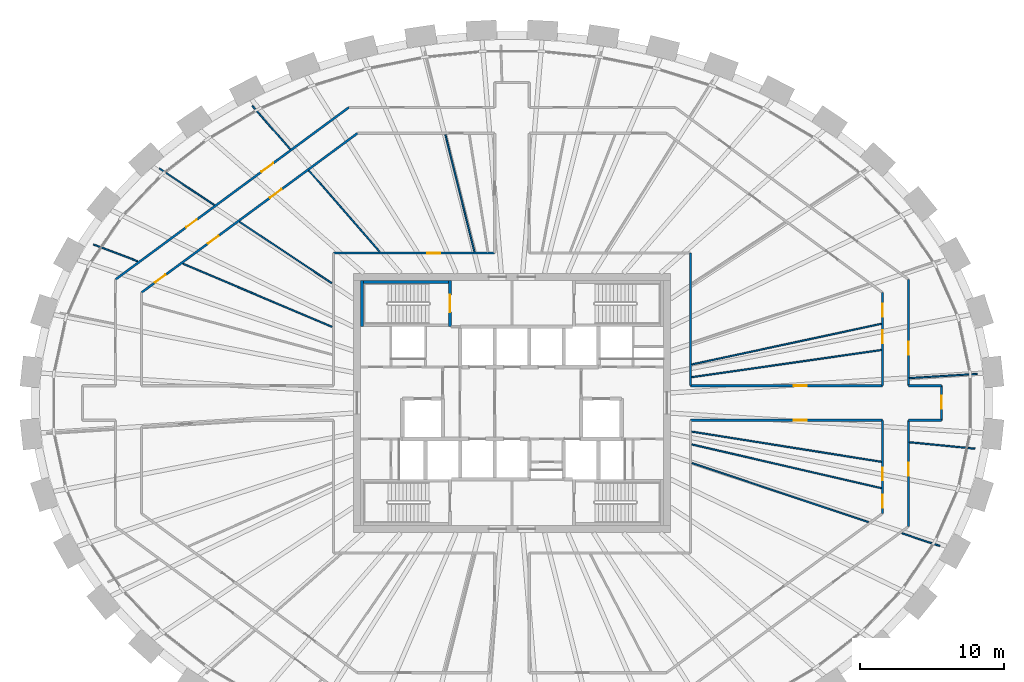
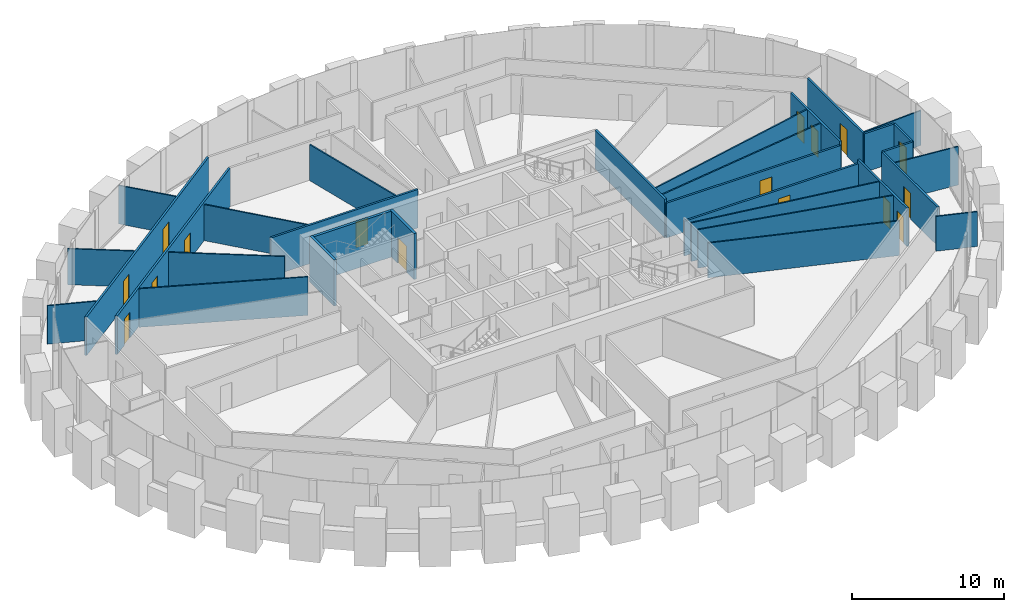
# One storey, part 9 of 12: 31 walls, 16 doors, 16 openings.
"""IFC4 building model written with IfcOpenShell, lengths in metres."""

from ifc_helpers import new_model, si_unit, direction, frame, frame_2d, origin, place, context, subcontext, project, spatial, rectangle, extrude, source, transform, mapped, material, layer, layer_set, type_object, element, fill, save


model = new_model("IFC4")

# Units and contexts
model_context = context("Model", 3, precision=1e-05, world=origin(), true_north=direction((0.0, 1.0)))
body_context = subcontext(model_context, "Body", "Model", "MODEL_VIEW")
ifc_project = project(units=[si_unit("LENGTHUNIT", "METRE"), si_unit("AREAUNIT", "SQUARE_METRE"), si_unit("VOLUMEUNIT", "CUBIC_METRE"), si_unit("PLANEANGLEUNIT", "RADIAN"), si_unit("MASSUNIT", "GRAM", prefix="KILO")], contexts=[model_context])

# Site, building, storey
site_placement = place(None, origin())
site = spatial("IfcSite", under=ifc_project, at=site_placement, CompositionType="ELEMENT")
building_placement = place(site_placement, origin())
building = spatial("IfcBuilding", under=site, at=building_placement, Name="Embergate Tower", CompositionType="ELEMENT")
storey_placement = place(building_placement, frame((0.0, 0.0, 253.89990234375)))
storey = spatial("IfcBuildingStorey", under=building, at=storey_placement, Name="L58", CompositionType="ELEMENT", Elevation=253.89990234375)

# Wall, opening, door
ifc_material_1 = material(Name="Concrete C50", Category="concrete")
ifc_layer_1 = layer(ifc_material_1, 0.199951171875)
ifc_layer_set_1 = layer_set([ifc_layer_1], Name="Concrete C50")
wall_type_1 = type_object("IfcWallType", Name="Stair enclosure wall reinforced concrete 250", PredefinedType="SHEAR", material=ifc_layer_set_1)
shared_shape_1 = source(origin(), body_context, "Body", "SweptSolid", [
    extrude(rectangle(XDim=3.199951171875, YDim=0.199951171875, at=frame_2d((1.60009765625, 0.0))), origin(), (0.0, 0.0, 1.0), 3.7001953125),
])
wall_1_placement = place(storey_placement, frame((-4.300048828125, 5.300048828125, 0.0), z_axis=(0.0, 0.0, 1.0), x_axis=(0.0, 1.0, 0.0)))
wall_1 = element("IfcWall", 1, at=wall_1_placement, inside=storey, type_object=wall_type_1, Name="SE-1 wall", PredefinedType="SHEAR", context=body_context, shape_type="MappedRepresentation", body=[
    mapped(shared_shape_1, transform((0.0, 0.0, 0.0))),
])
shared_shape_2 = source(origin(), body_context, "Body", "SweptSolid", [
    extrude(rectangle(XDim=1.199951171875, YDim=2.10009765625, at=frame_2d((0.60009765625, 1.050048828125))), frame((0.0, 0.10986328125, 0.0), z_axis=(0.0, -1.0, 0.0), x_axis=(1.0, 0.0, 0.0)), (0.0, 0.0, 1.0), 0.219970703125),
])
opening_1_placement = place(wall_1_placement, frame((1.0, 0.0, 0.0)))
opening_1 = element("IfcOpeningElement", 2, at=opening_1_placement, cuts=wall_1, Name="Opening IF-2", PredefinedType="OPENING", context=body_context, shape_type="MappedRepresentation", body=[
    mapped(shared_shape_2, transform((0.0, 0.0, 0.0))),
])
ifc_material_2 = material(Name="Stair enclosure door 1200")
door_type_1 = type_object("IfcDoorType", Name="Stair enclosure door 1200", OperationType="SINGLE_SWING_LEFT", PredefinedType="DOOR", material=ifc_material_2)
shared_shape_3 = source(origin(), body_context, "Body", "SweptSolid", [
    extrude(rectangle(XDim=1.199951171875, YDim=2.10009765625, at=frame_2d((0.60009765625, 1.050048828125))), frame((0.0, 0.02490234375, 0.0), z_axis=(0.0, -1.0, 0.0), x_axis=(1.0, 0.0, 0.0)), (0.0, 0.0, 1.0), 0.050048828125),
])
door_1_placement = place(opening_1_placement, origin())
door_1 = element("IfcDoor", 3, at=door_1_placement, inside=storey, type_object=door_type_1, Name="IF-2 door", OperationType="SINGLE_SWING_RIGHT", OverallHeight=2.10009765625, OverallWidth=1.199951171875, PredefinedType="DOOR", context=body_context, shape_type="MappedRepresentation", body=[
    mapped(shared_shape_3, transform((0.0, 0.0, 0.0))),
])
fill(opening_1, door_1)

ifc_material_3 = material(Name="Corridor wall dry-lined 150 wet")
ifc_layer_2 = layer(ifc_material_3, 0.14990234375)
ifc_layer_set_2 = layer_set([ifc_layer_2], Name="Corridor wall dry-lined 150 wet")
wall_type_2 = type_object("IfcWallType", Name="Corridor wall dry-lined 150 wet", PredefinedType="PLUMBINGWALL", material=ifc_layer_set_2)
shared_shape_4 = source(origin(), body_context, "Body", "SweptSolid", [
    extrude(rectangle(XDim=7.381103515625, YDim=0.14990234375, at=frame_2d((3.6904296875, 0.0))), origin(), (0.0, 0.0, 1.0), 3.10009765625),
])
wall_2_placement = place(storey_placement, frame((27.510986328125, -8.5810546875, 0.0), z_axis=(0.0, 0.0, 1.0), x_axis=(0.0, 1.0, 0.0)))
wall_2 = element("IfcWall", 4, at=wall_2_placement, inside=storey, type_object=wall_type_2, Name="IP-2 wall", PredefinedType="PLUMBINGWALL", context=body_context, shape_type="MappedRepresentation", body=[
    mapped(shared_shape_4, transform((0.0, 0.0, 0.0))),
])
shared_shape_5 = source(origin(), body_context, "Body", "SweptSolid", [
    extrude(rectangle(XDim=0.89990234375, YDim=2.10009765625, at=frame_2d((0.449951171875, 1.050048828125))), frame((0.0, 0.0849609375, 0.0), z_axis=(0.0, -1.0, 0.0), x_axis=(1.0, 0.0, 0.0)), (0.0, 0.0, 1.0), 0.169921875),
])
opening_2_placement = place(wall_2_placement, frame((3.533447265625, 0.0, 0.0)))
opening_2 = element("IfcOpeningElement", 5, at=opening_2_placement, cuts=wall_2, Name="Opening IF-1c", PredefinedType="OPENING", context=body_context, shape_type="MappedRepresentation", body=[
    mapped(shared_shape_5, transform((0.0, 0.0, 0.0))),
])
ifc_material_4 = material(Name="Escape fire door 900")
door_type_2 = type_object("IfcDoorType", Name="Escape fire door 900", OperationType="SINGLE_SWING_LEFT", PredefinedType="DOOR", material=ifc_material_4)
shared_shape_6 = source(origin(), body_context, "Body", "SweptSolid", [
    extrude(rectangle(XDim=0.89990234375, YDim=2.10009765625, at=frame_2d((0.449951171875, 1.050048828125))), frame((0.0, 0.02490234375, 0.0), z_axis=(0.0, -1.0, 0.0), x_axis=(1.0, 0.0, 0.0)), (0.0, 0.0, 1.0), 0.050048828125),
])
door_2_placement = place(opening_2_placement, origin())
door_2 = element("IfcDoor", 6, at=door_2_placement, inside=storey, type_object=door_type_2, Name="IF-1 door", OperationType="SINGLE_SWING_LEFT", OverallHeight=2.10009765625, OverallWidth=0.89990234375, PredefinedType="DOOR", context=body_context, shape_type="MappedRepresentation", body=[
    mapped(shared_shape_6, transform((0.0, 0.0, 0.0))),
])
fill(opening_2, door_2)

wall_3_placement = place(storey_placement, frame((27.510986328125, 1.199951171875, 0.0), z_axis=(0.0, 0.0, 1.0), x_axis=(0.0, 1.0, 0.0)))
wall_3 = element("IfcWall", 7, at=wall_3_placement, inside=storey, type_object=wall_type_2, Name="IP-2 wall", PredefinedType="PLUMBINGWALL", context=body_context, shape_type="MappedRepresentation", body=[
    mapped(shared_shape_4, transform((0.0, 0.0, 0.0))),
])
opening_3_placement = place(wall_3_placement, frame((2.159912109375, 0.0, 0.0)))
opening_3 = element("IfcOpeningElement", 8, at=opening_3_placement, cuts=wall_3, Name="Opening IF-1c", PredefinedType="OPENING", context=body_context, shape_type="MappedRepresentation", body=[
    mapped(shared_shape_5, transform((0.0, 0.0, 0.0))),
])
door_3_placement = place(opening_3_placement, origin())
door_3 = element("IfcDoor", 9, at=door_3_placement, inside=storey, type_object=door_type_2, Name="IF-1 door", OperationType="SINGLE_SWING_RIGHT", OverallHeight=2.10009765625, OverallWidth=0.89990234375, PredefinedType="DOOR", context=body_context, shape_type="MappedRepresentation", body=[
    mapped(shared_shape_6, transform((0.0, 0.0, 0.0))),
])
fill(opening_3, door_3)

# Wall, openings, doors
ifc_material_5 = material(Name="Corridor wall dry-lined 150")
ifc_layer_3 = layer(ifc_material_5, 0.14990234375)
ifc_layer_set_3 = layer_set([ifc_layer_3], Name="Corridor wall dry-lined 150")
wall_type_3 = type_object("IfcWallType", Name="Corridor wall dry-lined 150", PredefinedType="PARTITIONING", material=ifc_layer_set_3)
shared_shape_7 = source(origin(), body_context, "Body", "SweptSolid", [
    extrude(rectangle(XDim=20.116455078125, YDim=0.14990234375, at=frame_2d((10.05810546875, 0.0))), origin(), (0.0, 0.0, 1.0), 3.10009765625),
])
wall_4_placement = place(storey_placement, frame((-27.510986328125, 8.5810546875, 0.0), z_axis=(0.0, 0.0, 1.0), x_axis=(0.804910001979, 0.593396906559, 0.0)))
wall_4 = element("IfcWall", 10, at=wall_4_placement, inside=storey, type_object=wall_type_3, Name="IP-2 wall", PredefinedType="PARTITIONING", context=body_context, shape_type="MappedRepresentation", body=[
    mapped(shared_shape_7, transform((0.0, 0.0, 0.0))),
])
shared_shape_8 = source(origin(), body_context, "Body", "SweptSolid", [
    extrude(rectangle(XDim=1.0, YDim=2.10009765625, at=frame_2d((0.5, 1.050048828125))), frame((0.0, 0.0849609375, 0.0), z_axis=(0.0, -1.0, 0.0), x_axis=(1.0, 0.0, 0.0)), (0.0, 0.0, 1.0), 0.169921875),
])
opening_4_placement = place(wall_4_placement, frame((12.591552734375, 0.0, 0.0)))
opening_4 = element("IfcOpeningElement", 11, at=opening_4_placement, cuts=wall_4, Name="Opening ID-2", PredefinedType="OPENING", context=body_context, shape_type="MappedRepresentation", body=[
    mapped(shared_shape_8, transform((0.0, 0.0, 0.0))),
])
opening_5_placement = place(wall_4_placement, frame((6.0927734375, 0.0, 0.0)))
opening_5 = element("IfcOpeningElement", 12, at=opening_5_placement, cuts=wall_4, Name="Opening IF-1c", PredefinedType="OPENING", context=body_context, shape_type="MappedRepresentation", body=[
    mapped(shared_shape_5, transform((0.0, 0.0, 0.0))),
])
door_4_placement = place(opening_5_placement, origin())
door_4 = element("IfcDoor", 13, at=door_4_placement, inside=storey, type_object=door_type_2, Name="IF-1 door", OperationType="SINGLE_SWING_LEFT", OverallHeight=2.10009765625, OverallWidth=0.89990234375, PredefinedType="DOOR", context=body_context, shape_type="MappedRepresentation", body=[
    mapped(shared_shape_6, transform((0.0, 0.0, 0.0))),
])
fill(opening_5, door_4)
ifc_material_6 = material(Name="Interior door 1000")
door_type_3 = type_object("IfcDoorType", Name="Interior door 1000", OperationType="SINGLE_SWING_LEFT", PredefinedType="DOOR", material=ifc_material_6)
shared_shape_9 = source(origin(), body_context, "Body", "SweptSolid", [
    extrude(rectangle(XDim=1.0, YDim=2.10009765625, at=frame_2d((0.5, 1.050048828125))), frame((0.0, 0.02490234375, 0.0), z_axis=(0.0, -1.0, 0.0), x_axis=(1.0, 0.0, 0.0)), (0.0, 0.0, 1.0), 0.050048828125),
])
door_5_placement = place(opening_4_placement, origin())
door_5 = element("IfcDoor", 14, at=door_5_placement, inside=storey, type_object=door_type_3, Name="ID-2 door", OperationType="SINGLE_SWING_RIGHT", OverallHeight=2.10009765625, OverallWidth=1.0, PredefinedType="DOOR", context=body_context, shape_type="MappedRepresentation", body=[
    mapped(shared_shape_9, transform((0.0, 0.0, 0.0))),
])
fill(opening_4, door_5)

shared_shape_10 = source(origin(), body_context, "Body", "SweptSolid", [
    extrude(rectangle(XDim=18.615966796875, YDim=0.14990234375, at=frame_2d((9.30810546875, 0.0))), origin(), (0.0, 0.0, 1.0), 3.10009765625),
])
wall_5_placement = place(storey_placement, frame((-25.7109375, 7.6708984375, 0.0), z_axis=(0.0, 0.0, 1.0), x_axis=(0.804892640185, 0.593420456149, 0.0)))
wall_5 = element("IfcWall", 15, at=wall_5_placement, inside=storey, type_object=wall_type_3, Name="IP-2 wall", PredefinedType="PARTITIONING", context=body_context, shape_type="MappedRepresentation", body=[
    mapped(shared_shape_10, transform((0.0, 0.0, 0.0))),
])
opening_6_placement = place(wall_5_placement, frame((11.076904296875, 0.0, 0.0)))
opening_6 = element("IfcOpeningElement", 16, at=opening_6_placement, cuts=wall_5, Name="Opening ID-2", PredefinedType="OPENING", context=body_context, shape_type="MappedRepresentation", body=[
    mapped(shared_shape_8, transform((0.0, 0.0, 0.0))),
])
opening_7_placement = place(wall_5_placement, frame((5.718994140625, 0.0, 0.0)))
opening_7 = element("IfcOpeningElement", 17, at=opening_7_placement, cuts=wall_5, Name="Opening IF-1c", PredefinedType="OPENING", context=body_context, shape_type="MappedRepresentation", body=[
    mapped(shared_shape_5, transform((0.0, 0.0, 0.0))),
])
opening_8_placement = place(wall_5_placement, frame((1.172119140625, 0.0, 0.0)))
opening_8 = element("IfcOpeningElement", 18, at=opening_8_placement, cuts=wall_5, Name="Opening IF-1c", PredefinedType="OPENING", context=body_context, shape_type="MappedRepresentation", body=[
    mapped(shared_shape_5, transform((0.0, 0.0, 0.0))),
])
door_6_placement = place(opening_7_placement, origin())
door_6 = element("IfcDoor", 19, at=door_6_placement, inside=storey, type_object=door_type_2, Name="IF-1 door", OperationType="SINGLE_SWING_RIGHT", OverallHeight=2.10009765625, OverallWidth=0.89990234375, PredefinedType="DOOR", context=body_context, shape_type="MappedRepresentation", body=[
    mapped(shared_shape_6, transform((0.0, 0.0, 0.0))),
])
fill(opening_7, door_6)
door_7_placement = place(opening_8_placement, origin())
door_7 = element("IfcDoor", 20, at=door_7_placement, inside=storey, type_object=door_type_2, Name="IF-1 door", OperationType="SINGLE_SWING_RIGHT", OverallHeight=2.10009765625, OverallWidth=0.89990234375, PredefinedType="DOOR", context=body_context, shape_type="MappedRepresentation", body=[
    mapped(shared_shape_6, transform((0.0, 0.0, 0.0))),
])
fill(opening_8, door_7)
door_8_placement = place(opening_6_placement, origin())
door_8 = element("IfcDoor", 21, at=door_8_placement, inside=storey, type_object=door_type_3, Name="ID-2 door", OperationType="SINGLE_SWING_RIGHT", OverallHeight=2.10009765625, OverallWidth=1.0, PredefinedType="DOOR", context=body_context, shape_type="MappedRepresentation", body=[
    mapped(shared_shape_9, transform((0.0, 0.0, 0.0))),
])
fill(opening_6, door_8)

# Wall
shared_shape_11 = source(origin(), body_context, "Body", "SweptSolid", [
    extrude(rectangle(XDim=9.199951171875, YDim=0.14990234375, at=frame_2d((4.60009765625, 0.0))), origin(), (0.0, 0.0, 1.0), 3.10009765625),
])
wall_6_placement = place(storey_placement, frame((12.39990234375, 1.199951171875, 0.0), z_axis=(0.0, 0.0, 1.0), x_axis=(0.0, 1.0, 0.0)))
element("IfcWall", 22, at=wall_6_placement, inside=storey, type_object=wall_type_2, Name="IP-2 wall", PredefinedType="PLUMBINGWALL", context=body_context, shape_type="MappedRepresentation", body=[
    mapped(shared_shape_11, transform((0.0, 0.0, 0.0))),
])

# Wall, opening, door
shared_shape_12 = source(origin(), body_context, "Body", "SweptSolid", [
    extrude(rectangle(XDim=11.199951171875, YDim=0.14990234375, at=frame_2d((5.60009765625, 0.0))), origin(), (0.0, 0.0, 1.0), 3.10009765625),
])
wall_7_placement = place(storey_placement, frame((-12.39990234375, 10.39990234375, 0.0), z_axis=(0.0, 0.0, 1.0), x_axis=(1.0, 0.0, 0.0)))
wall_7 = element("IfcWall", 23, at=wall_7_placement, inside=storey, type_object=wall_type_3, Name="IP-2 wall", PredefinedType="PARTITIONING", context=body_context, shape_type="MappedRepresentation", body=[
    mapped(shared_shape_12, transform((0.0, 0.0, 0.0))),
])
opening_9_placement = place(wall_7_placement, frame((6.513916015625, 0.0, 0.0)))
opening_9 = element("IfcOpeningElement", 24, at=opening_9_placement, cuts=wall_7, Name="Opening IF-1c", PredefinedType="OPENING", context=body_context, shape_type="MappedRepresentation", body=[
    mapped(shared_shape_5, transform((0.0, 0.0, 0.0))),
])
door_9_placement = place(opening_9_placement, origin())
door_9 = element("IfcDoor", 25, at=door_9_placement, inside=storey, type_object=door_type_2, Name="IF-1 door", OperationType="SINGLE_SWING_RIGHT", OverallHeight=2.10009765625, OverallWidth=0.89990234375, PredefinedType="DOOR", context=body_context, shape_type="MappedRepresentation", body=[
    mapped(shared_shape_6, transform((0.0, 0.0, 0.0))),
])
fill(opening_9, door_9)

shared_shape_13 = source(origin(), body_context, "Body", "SweptSolid", [
    extrude(rectangle(XDim=2.39990234375, YDim=0.14990234375, at=frame_2d((1.199951171875, 0.0))), origin(), (0.0, 0.0, 1.0), 3.10009765625),
])
wall_8_placement = place(storey_placement, frame((29.803955078125, -1.199951171875, 0.0), z_axis=(0.0, 0.0, 1.0), x_axis=(0.0, 1.0, 0.0)))
wall_8 = element("IfcWall", 26, at=wall_8_placement, inside=storey, type_object=wall_type_2, Name="IP-2 wall", PredefinedType="PLUMBINGWALL", context=body_context, shape_type="MappedRepresentation", body=[
    mapped(shared_shape_13, transform((0.0, 0.0, 0.0))),
])
opening_10_placement = place(wall_8_placement, frame((0.794921875, 0.0, 0.0)))
opening_10 = element("IfcOpeningElement", 27, at=opening_10_placement, cuts=wall_8, Name="Opening IF-1c", PredefinedType="OPENING", context=body_context, shape_type="MappedRepresentation", body=[
    mapped(shared_shape_5, transform((0.0, 0.0, 0.0))),
])
door_10_placement = place(opening_10_placement, origin())
door_10 = element("IfcDoor", 28, at=door_10_placement, inside=storey, type_object=door_type_2, Name="IF-1 door", OperationType="SINGLE_SWING_RIGHT", OverallHeight=2.10009765625, OverallWidth=0.89990234375, PredefinedType="DOOR", context=body_context, shape_type="MappedRepresentation", body=[
    mapped(shared_shape_6, transform((0.0, 0.0, 0.0))),
])
fill(opening_10, door_10)

# Walls
shared_shape_14 = source(origin(), body_context, "Body", "SweptSolid", [
    extrude(rectangle(XDim=2.29296875, YDim=0.14990234375, at=frame_2d((1.146484375, 0.0))), origin(), (0.0, 0.0, 1.0), 3.10009765625),
])
for number, where, z_axis, x_axis, name in (
    (29, (27.510986328125, -1.199951171875, 0.0), (0.0, 0.0, 1.0), (1.0, 0.0, 0.0), "IP-2 wall"),
    (30, (29.803955078125, 1.199951171875, 0.0), (0.0, 0.0, 1.0), (-1.0, 0.0, 0.0), "IP-2 wall"),
):
    element("IfcWall", number, at=place(storey_placement, frame(where, z_axis=z_axis, x_axis=x_axis)), inside=storey, type_object=wall_type_2, Name=name, PredefinedType="PLUMBINGWALL", context=body_context, shape_type="MappedRepresentation", body=[
        mapped(shared_shape_14, transform((0.0, 0.0, 0.0))),
    ])

# Wall, openings, doors
shared_shape_15 = source(origin(), body_context, "Body", "SweptSolid", [
    extrude(rectangle(XDim=6.470947265625, YDim=0.14990234375, at=frame_2d((3.2353515625, 0.0))), origin(), (0.0, 0.0, 1.0), 3.10009765625),
])
wall_9_placement = place(storey_placement, frame((25.7109375, 7.6708984375, 0.0), z_axis=(0.0, 0.0, 1.0), x_axis=(0.0, -1.0, 0.0)))
wall_9 = element("IfcWall", 31, at=wall_9_placement, inside=storey, type_object=wall_type_2, Name="IP-2 wall", PredefinedType="PLUMBINGWALL", context=body_context, shape_type="MappedRepresentation", body=[
    mapped(shared_shape_15, transform((0.0, 0.0, 0.0))),
])
opening_11_placement = place(wall_9_placement, frame((2.63623046875, 0.0, 0.0)))
opening_11 = element("IfcOpeningElement", 32, at=opening_11_placement, cuts=wall_9, Name="Opening IF-1c", PredefinedType="OPENING", context=body_context, shape_type="MappedRepresentation", body=[
    mapped(shared_shape_5, transform((0.0, 0.0, 0.0))),
])
opening_12_placement = place(wall_9_placement, frame((0.789306640625, 0.0, 0.0)))
opening_12 = element("IfcOpeningElement", 33, at=opening_12_placement, cuts=wall_9, Name="Opening IF-1c", PredefinedType="OPENING", context=body_context, shape_type="MappedRepresentation", body=[
    mapped(shared_shape_5, transform((0.0, 0.0, 0.0))),
])
door_11_placement = place(opening_11_placement, origin())
door_11 = element("IfcDoor", 34, at=door_11_placement, inside=storey, type_object=door_type_2, Name="IF-1 door", OperationType="SINGLE_SWING_RIGHT", OverallHeight=2.10009765625, OverallWidth=0.89990234375, PredefinedType="DOOR", context=body_context, shape_type="MappedRepresentation", body=[
    mapped(shared_shape_6, transform((0.0, 0.0, 0.0))),
])
fill(opening_11, door_11)
door_12_placement = place(opening_12_placement, origin())
door_12 = element("IfcDoor", 35, at=door_12_placement, inside=storey, type_object=door_type_2, Name="IF-1 door", OperationType="SINGLE_SWING_LEFT", OverallHeight=2.10009765625, OverallWidth=0.89990234375, PredefinedType="DOOR", context=body_context, shape_type="MappedRepresentation", body=[
    mapped(shared_shape_6, transform((0.0, 0.0, 0.0))),
])
fill(opening_12, door_12)

wall_10_placement = place(storey_placement, frame((25.7109375, -1.199951171875, 0.0), z_axis=(0.0, 0.0, 1.0), x_axis=(0.0, -1.0, 0.0)))
wall_10 = element("IfcWall", 36, at=wall_10_placement, inside=storey, type_object=wall_type_2, Name="IP-2 wall", PredefinedType="PLUMBINGWALL", context=body_context, shape_type="MappedRepresentation", body=[
    mapped(shared_shape_15, transform((0.0, 0.0, 0.0))),
])
opening_13_placement = place(wall_10_placement, frame((5.159912109375, 0.0, 0.0)))
opening_13 = element("IfcOpeningElement", 37, at=opening_13_placement, cuts=wall_10, Name="Opening IF-1c", PredefinedType="OPENING", context=body_context, shape_type="MappedRepresentation", body=[
    mapped(shared_shape_5, transform((0.0, 0.0, 0.0))),
])
opening_14_placement = place(wall_10_placement, frame((3.277099609375, 0.0, 0.0)))
opening_14 = element("IfcOpeningElement", 38, at=opening_14_placement, cuts=wall_10, Name="Opening IF-1c", PredefinedType="OPENING", context=body_context, shape_type="MappedRepresentation", body=[
    mapped(shared_shape_5, transform((0.0, 0.0, 0.0))),
])
door_13_placement = place(opening_13_placement, origin())
door_13 = element("IfcDoor", 39, at=door_13_placement, inside=storey, type_object=door_type_2, Name="IF-1 door", OperationType="SINGLE_SWING_LEFT", OverallHeight=2.10009765625, OverallWidth=0.89990234375, PredefinedType="DOOR", context=body_context, shape_type="MappedRepresentation", body=[
    mapped(shared_shape_6, transform((0.0, 0.0, 0.0))),
])
fill(opening_13, door_13)
door_14_placement = place(opening_14_placement, origin())
door_14 = element("IfcDoor", 40, at=door_14_placement, inside=storey, type_object=door_type_2, Name="IF-1 door", OperationType="SINGLE_SWING_RIGHT", OverallHeight=2.10009765625, OverallWidth=0.89990234375, PredefinedType="DOOR", context=body_context, shape_type="MappedRepresentation", body=[
    mapped(shared_shape_6, transform((0.0, 0.0, 0.0))),
])
fill(opening_14, door_14)

# Wall, opening, door
shared_shape_16 = source(origin(), body_context, "Body", "SweptSolid", [
    extrude(rectangle(XDim=13.31103515625, YDim=0.14990234375, at=frame_2d((6.655517578125, 0.0))), origin(), (0.0, 0.0, 1.0), 2.800048828125),
])
wall_11_placement = place(storey_placement, frame((25.7109375, 1.199951171875, 0.0), z_axis=(0.0, 0.0, 1.0), x_axis=(-1.0, 0.0, 0.0)))
wall_11 = element("IfcWall", 41, at=wall_11_placement, inside=storey, type_object=wall_type_2, Name="IP-2 wall", PredefinedType="PLUMBINGWALL", context=body_context, shape_type="MappedRepresentation", body=[
    mapped(shared_shape_16, transform((0.0, 0.0, 0.0))),
])
opening_15_placement = place(wall_11_placement, frame((5.260498046875, 0.0, 0.0)))
opening_15 = element("IfcOpeningElement", 42, at=opening_15_placement, cuts=wall_11, Name="Opening IF-1c", PredefinedType="OPENING", context=body_context, shape_type="MappedRepresentation", body=[
    mapped(shared_shape_5, transform((0.0, 0.0, 0.0))),
])
door_15_placement = place(opening_15_placement, origin())
door_15 = element("IfcDoor", 43, at=door_15_placement, inside=storey, type_object=door_type_2, Name="IF-1 door", OperationType="SINGLE_SWING_RIGHT", OverallHeight=2.10009765625, OverallWidth=0.89990234375, PredefinedType="DOOR", context=body_context, shape_type="MappedRepresentation", body=[
    mapped(shared_shape_6, transform((0.0, 0.0, 0.0))),
])
fill(opening_15, door_15)

wall_12_placement = place(storey_placement, frame((25.7109375, -1.199951171875, 0.0), z_axis=(0.0, 0.0, 1.0), x_axis=(-1.0, 0.0, 0.0)))
wall_12 = element("IfcWall", 44, at=wall_12_placement, inside=storey, type_object=wall_type_2, Name="IP-2 wall", PredefinedType="PLUMBINGWALL", context=body_context, shape_type="MappedRepresentation", body=[
    mapped(shared_shape_16, transform((0.0, 0.0, 0.0))),
])
opening_16_placement = place(wall_12_placement, frame((5.260498046875, 0.0, 0.0)))
opening_16 = element("IfcOpeningElement", 45, at=opening_16_placement, cuts=wall_12, Name="Opening IF-1c", PredefinedType="OPENING", context=body_context, shape_type="MappedRepresentation", body=[
    mapped(shared_shape_5, transform((0.0, 0.0, 0.0))),
])
door_16_placement = place(opening_16_placement, origin())
door_16 = element("IfcDoor", 46, at=door_16_placement, inside=storey, type_object=door_type_2, Name="IF-1 door", OperationType="SINGLE_SWING_RIGHT", OverallHeight=2.10009765625, OverallWidth=0.89990234375, PredefinedType="DOOR", context=body_context, shape_type="MappedRepresentation", body=[
    mapped(shared_shape_6, transform((0.0, 0.0, 0.0))),
])
fill(opening_16, door_16)

# Walls
ifc_material_7 = material(Name="Partition dry-lined 100 wet")
ifc_layer_4 = layer(ifc_material_7, 0.10009765625)
ifc_layer_set_4 = layer_set([ifc_layer_4], Name="Partition dry-lined 100 wet")
wall_type_4 = type_object("IfcWallType", Name="Partition dry-lined 100 wet", PredefinedType="PLUMBINGWALL", material=ifc_layer_set_4)
shared_shape_17 = source(origin(), body_context, "Body", "SweptSolid", [
    extrude(rectangle(XDim=2.779296875, YDim=0.10009765625, at=frame_2d((1.3896484375, 0.0))), origin(), (0.0, 0.0, 1.0), 2.800048828125),
])
wall_13_placement = place(storey_placement, frame((29.696044921875, -9.923095703125, 0.0), z_axis=(0.0, 0.0, 1.0), x_axis=(-0.9484194456, 0.317018225356, 0.0)))
element("IfcWall", 47, at=wall_13_placement, inside=storey, type_object=wall_type_4, Name="IP-1 wall", PredefinedType="PLUMBINGWALL", context=body_context, shape_type="MappedRepresentation", body=[
    mapped(shared_shape_17, transform((0.0, 0.0, 0.0))),
])
shared_shape_18 = source(origin(), body_context, "Body", "SweptSolid", [
    extrude(rectangle(XDim=12.906005859375, YDim=0.10009765625, at=frame_2d((6.453125, 0.0))), origin(), (0.0, 0.0, 1.0), 2.800048828125),
])
wall_14_placement = place(storey_placement, frame((24.73193359375, -8.263916015625, 0.0), z_axis=(0.0, 0.0, 1.0), x_axis=(-0.948461740931, 0.316891662859, 0.0)))
element("IfcWall", 48, at=wall_14_placement, inside=storey, type_object=wall_type_4, Name="IP-1 wall", PredefinedType="PLUMBINGWALL", context=body_context, shape_type="MappedRepresentation", body=[
    mapped(shared_shape_18, transform((0.0, 0.0, 0.0))),
])
shared_shape_19 = source(origin(), body_context, "Body", "SweptSolid", [
    extrude(rectangle(XDim=4.569091796875, YDim=0.10009765625, at=frame_2d((2.28466796875, 0.0))), origin(), (0.0, 0.0, 1.0), 3.10009765625),
])
wall_15_placement = place(storey_placement, frame((32.133056640625, -3.1708984375, 0.0), z_axis=(0.0, 0.0, 1.0), x_axis=(-0.995181611361, 0.098048765468, 0.0)))
element("IfcWall", 49, at=wall_15_placement, inside=storey, type_object=wall_type_4, Name="IP-1 wall", PredefinedType="PLUMBINGWALL", context=body_context, shape_type="MappedRepresentation", body=[
    mapped(shared_shape_19, transform((0.0, 0.0, 0.0))),
])
shared_shape_20 = source(origin(), body_context, "Body", "SweptSolid", [
    extrude(rectangle(XDim=4.71923828125, YDim=0.10009765625, at=frame_2d((2.359619140625, 0.0))), origin(), (0.0, 0.0, 1.0), 2.800048828125),
])
wall_16_placement = place(storey_placement, frame((27.5859375, 1.72509765625, 0.0), z_axis=(0.0, 0.0, 1.0), x_axis=(0.998058210831, 0.062288103143, 0.0)))
element("IfcWall", 50, at=wall_16_placement, inside=storey, type_object=wall_type_4, Name="IP-1 wall", PredefinedType="PLUMBINGWALL", context=body_context, shape_type="MappedRepresentation", body=[
    mapped(shared_shape_20, transform((0.0, 0.0, 0.0))),
])
shared_shape_21 = source(origin(), body_context, "Body", "SweptSolid", [
    extrude(rectangle(XDim=13.281494140625, YDim=0.10009765625, at=frame_2d((6.640625, 0.0))), origin(), (0.0, 0.0, 1.0), 3.10009765625),
])
wall_17_placement = place(storey_placement, frame((12.48193359375, 1.791015625, 0.0), z_axis=(0.0, 0.0, 1.0), x_axis=(0.989866605663, 0.142000362651, 0.0)))
element("IfcWall", 51, at=wall_17_placement, inside=storey, type_object=wall_type_4, Name="IP-1 wall", PredefinedType="PLUMBINGWALL", context=body_context, shape_type="MappedRepresentation", body=[
    mapped(shared_shape_21, transform((0.0, 0.0, 0.0))),
])
shared_shape_22 = source(origin(), body_context, "Body", "SweptSolid", [
    extrude(rectangle(XDim=13.438720703125, YDim=0.10009765625, at=frame_2d((6.71923828125, 0.0))), origin(), (0.0, 0.0, 1.0), 3.10009765625),
])
wall_18_placement = place(storey_placement, frame((12.486083984375, 2.677978515625, 0.0), z_axis=(0.0, 0.0, 1.0), x_axis=(0.977765444558, 0.209701538926, 0.0)))
element("IfcWall", 52, at=wall_18_placement, inside=storey, type_object=wall_type_4, Name="IP-1 wall", PredefinedType="PLUMBINGWALL", context=body_context, shape_type="MappedRepresentation", body=[
    mapped(shared_shape_22, transform((0.0, 0.0, 0.0))),
])
shared_shape_23 = source(origin(), body_context, "Body", "SweptSolid", [
    extrude(rectangle(XDim=13.48388671875, YDim=0.10009765625, at=frame_2d((6.741943359375, 0.0))), origin(), (0.0, 0.0, 1.0), 3.10009765625),
])
wall_19_placement = place(storey_placement, frame((12.486083984375, -2.87890625, 0.0), z_axis=(0.0, 0.0, 1.0), x_axis=(0.974424142675, -0.224716688681, 0.0)))
element("IfcWall", 53, at=wall_19_placement, inside=storey, type_object=wall_type_4, Name="IP-1 wall", PredefinedType="PLUMBINGWALL", context=body_context, shape_type="MappedRepresentation", body=[
    mapped(shared_shape_23, transform((0.0, 0.0, 0.0))),
])
shared_shape_24 = source(origin(), body_context, "Body", "SweptSolid", [
    extrude(rectangle(XDim=13.3115234375, YDim=0.10009765625, at=frame_2d((6.65576171875, 0.0))), origin(), (0.0, 0.0, 1.0), 3.10009765625),
])
wall_20_placement = place(storey_placement, frame((12.48291015625, -1.987060546875, 0.0), z_axis=(0.0, 0.0, 1.0), x_axis=(0.987561543038, -0.157232944108, 0.0)))
element("IfcWall", 54, at=wall_20_placement, inside=storey, type_object=wall_type_4, Name="IP-1 wall", PredefinedType="PLUMBINGWALL", context=body_context, shape_type="MappedRepresentation", body=[
    mapped(shared_shape_24, transform((0.0, 0.0, 0.0))),
])
ifc_material_8 = material(Name="Partition dry-lined 100")
ifc_layer_5 = layer(ifc_material_8, 0.10009765625)
ifc_layer_set_5 = layer_set([ifc_layer_5], Name="Partition dry-lined 100")
wall_type_5 = type_object("IfcWallType", Name="Partition dry-lined 100", PredefinedType="PARTITIONING", material=ifc_layer_set_5)
shared_shape_25 = source(origin(), body_context, "Body", "SweptSolid", [
    extrude(rectangle(XDim=4.01123046875, YDim=0.10009765625, at=frame_2d((2.005615234375, 0.0))), origin(), (0.0, 0.0, 1.0), 3.10009765625),
])
wall_21_placement = place(storey_placement, frame((-15.39111328125, 17.60791015625, 0.0), z_axis=(0.0, 0.0, 1.0), x_axis=(-0.658133951354, 0.752900858065, 0.0)))
element("IfcWall", 55, at=wall_21_placement, inside=storey, type_object=wall_type_5, Name="IP-1 wall", PredefinedType="PARTITIONING", context=body_context, shape_type="MappedRepresentation", body=[
    mapped(shared_shape_25, transform((0.0, 0.0, 0.0))),
])
shared_shape_26 = source(origin(), body_context, "Body", "SweptSolid", [
    extrude(rectangle(XDim=3.279541015625, YDim=0.10009765625, at=frame_2d((1.6396484375, 0.0))), origin(), (0.0, 0.0, 1.0), 3.10009765625),
])
wall_22_placement = place(storey_placement, frame((-25.97705078125, 9.839111328125, 0.0), z_axis=(0.0, 0.0, 1.0), x_axis=(-0.935143004526, 0.354270463186, 0.0)))
element("IfcWall", 56, at=wall_22_placement, inside=storey, type_object=wall_type_5, Name="IP-1 wall", PredefinedType="PARTITIONING", context=body_context, shape_type="MappedRepresentation", body=[
    mapped(shared_shape_26, transform((0.0, 0.0, 0.0))),
])
shared_shape_27 = source(origin(), body_context, "Body", "SweptSolid", [
    extrude(rectangle(XDim=11.22998046875, YDim=0.10009765625, at=frame_2d((5.614990234375, 0.0))), origin(), (0.0, 0.0, 1.0), 3.10009765625),
])
wall_23_placement = place(storey_placement, frame((-12.4951171875, 5.2880859375, 0.0), z_axis=(0.0, 0.0, 1.0), x_axis=(-0.920916834358, 0.389759136128, 0.0)))
element("IfcWall", 57, at=wall_23_placement, inside=storey, type_object=wall_type_5, Name="IP-1 wall", PredefinedType="PARTITIONING", context=body_context, shape_type="MappedRepresentation", body=[
    mapped(shared_shape_27, transform((0.0, 0.0, 0.0))),
])
shared_shape_28 = source(origin(), body_context, "Body", "SweptSolid", [
    extrude(rectangle(XDim=8.3916015625, YDim=0.10009765625, at=frame_2d((4.19580078125, 0.0))), origin(), (0.0, 0.0, 1.0), 2.900146484375),
])
wall_24_placement = place(storey_placement, frame((-2.60400390625, 10.487060546875, 0.0), z_axis=(0.0, 0.0, 1.0), x_axis=(-0.241070395173, 0.970507632413, 0.0)))
element("IfcWall", 58, at=wall_24_placement, inside=storey, type_object=wall_type_5, Name="IP-1 wall", PredefinedType="PARTITIONING", context=body_context, shape_type="MappedRepresentation", body=[
    mapped(shared_shape_28, transform((0.0, 0.0, 0.0))),
])
shared_shape_29 = source(origin(), body_context, "Body", "SweptSolid", [
    extrude(rectangle(XDim=4.567138671875, YDim=0.10009765625, at=frame_2d((2.28369140625, 0.0))), origin(), (0.0, 0.0, 1.0), 2.900146484375),
])
wall_25_placement = place(storey_placement, frame((-20.6630859375, 13.742919921875, 0.0), z_axis=(0.0, 0.0, 1.0), x_axis=(-0.832682999304, 0.553749964036, 0.0)))
element("IfcWall", 59, at=wall_25_placement, inside=storey, type_object=wall_type_5, Name="IP-1 wall", PredefinedType="PARTITIONING", context=body_context, shape_type="MappedRepresentation", body=[
    mapped(shared_shape_29, transform((0.0, 0.0, 0.0))),
])
shared_shape_30 = source(origin(), body_context, "Body", "SweptSolid", [
    extrude(rectangle(XDim=7.473876953125, YDim=0.10009765625, at=frame_2d((3.73681640625, 0.0))), origin(), (0.0, 0.0, 1.0), 2.900146484375),
])
wall_26_placement = place(storey_placement, frame((-9.18505859375, 10.508056640625, 0.0), z_axis=(0.0, 0.0, 1.0), x_axis=(-0.658153016014, 0.752884192629, 0.0)))
element("IfcWall", 60, at=wall_26_placement, inside=storey, type_object=wall_type_5, Name="IP-1 wall", PredefinedType="PARTITIONING", context=body_context, shape_type="MappedRepresentation", body=[
    mapped(shared_shape_30, transform((0.0, 0.0, 0.0))),
])
shared_shape_31 = source(origin(), body_context, "Body", "SweptSolid", [
    extrude(rectangle(XDim=7.690185546875, YDim=0.10009765625, at=frame_2d((3.84521484375, 0.0))), origin(), (0.0, 0.0, 1.0), 2.900146484375),
])
wall_27_placement = place(storey_placement, frame((-12.5029296875, 8.31494140625, 0.0), z_axis=(0.0, 0.0, 1.0), x_axis=(-0.83263105363, 0.553828067662, 0.0)))
element("IfcWall", 61, at=wall_27_placement, inside=storey, type_object=wall_type_5, Name="IP-1 wall", PredefinedType="PARTITIONING", context=body_context, shape_type="MappedRepresentation", body=[
    mapped(shared_shape_31, transform((0.0, 0.0, 0.0))),
])
shared_shape_32 = source(origin(), body_context, "Body", "SweptSolid", [
    extrude(rectangle(XDim=6.298095703125, YDim=0.199951171875, at=frame_2d((3.14892578125, 0.0))), origin(), (0.0, 0.0, 1.0), 3.7001953125),
])
wall_28_placement = place(storey_placement, frame((-4.201904296875, 8.39990234375, 0.0), z_axis=(0.0, 0.0, 1.0), x_axis=(-1.0, 0.0, 0.0)))
element("IfcWall", 62, at=wall_28_placement, inside=storey, type_object=wall_type_1, Name="SE-1 wall", PredefinedType="SHEAR", context=body_context, shape_type="MappedRepresentation", body=[
    mapped(shared_shape_32, transform((0.0, 0.0, 0.0))),
])
shared_shape_33 = source(origin(), body_context, "Body", "SweptSolid", [
    extrude(rectangle(XDim=3.197998046875, YDim=0.199951171875, at=frame_2d((1.59912109375, 0.0))), origin(), (0.0, 0.0, 1.0), 3.7001953125),
])
wall_29_placement = place(storey_placement, frame((-10.39990234375, 8.5, 0.0), z_axis=(0.0, 0.0, 1.0), x_axis=(0.0, -1.0, 0.0)))
element("IfcWall", 63, at=wall_29_placement, inside=storey, type_object=wall_type_1, Name="SE-1 wall", PredefinedType="SHEAR", context=body_context, shape_type="MappedRepresentation", body=[
    mapped(shared_shape_33, transform((0.0, 0.0, 0.0))),
])

save(model, "model.ifc")
